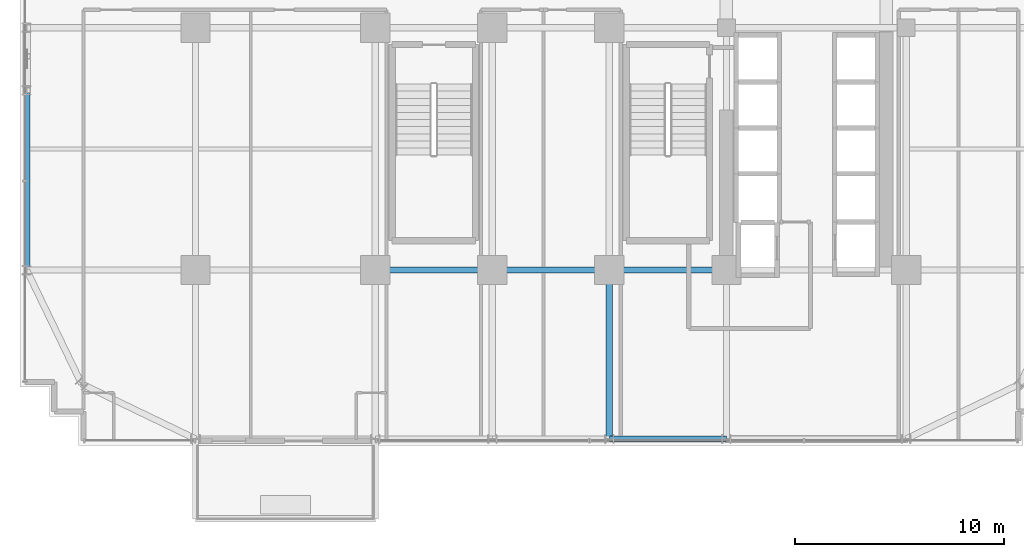
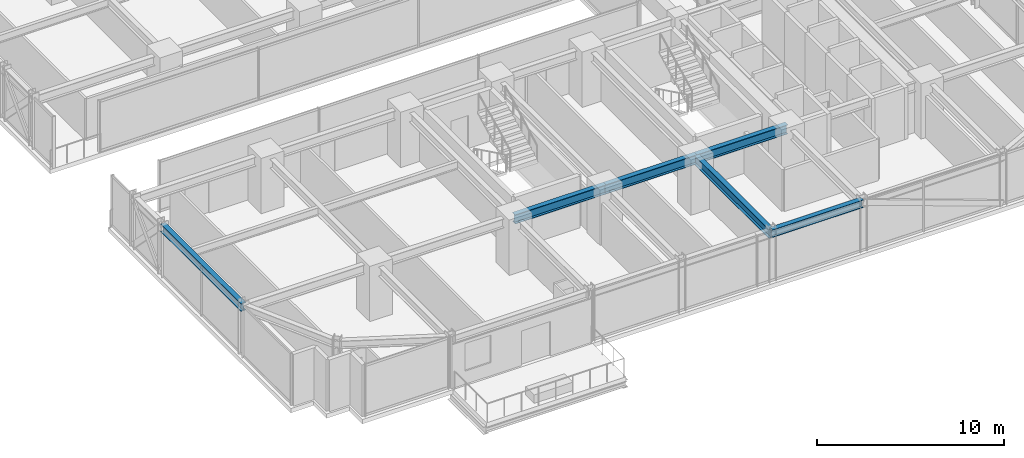
# One storey, part 6 of 43: 6 beams.
"""IFC4 building model written with IfcOpenShell, lengths in metres."""

from ifc_helpers import new_model, si_unit, direction, frame, origin, origin_2d, place, context, subcontext, project, spatial, i_section, extrude, source, transform, mapped, material, material_profile, profile_set, type_object, element, save


model = new_model("IFC4")

# Units and contexts
model_context = context("Model", 3, precision=1e-05, world=origin(), true_north=direction((0.0, 1.0)))
body_context = subcontext(model_context, "Body", "Model", "MODEL_VIEW")
ifc_project = project(units=[si_unit("LENGTHUNIT", "METRE"), si_unit("AREAUNIT", "SQUARE_METRE"), si_unit("VOLUMEUNIT", "CUBIC_METRE"), si_unit("PLANEANGLEUNIT", "RADIAN"), si_unit("MASSUNIT", "GRAM", prefix="KILO")], contexts=[model_context])

# Site, building, storey
site_placement = place(None, origin())
site = spatial("IfcSite", under=ifc_project, at=site_placement, CompositionType="ELEMENT")
building_placement = place(site_placement, origin())
building = spatial("IfcBuilding", under=site, at=building_placement, Name="Nahalor Promenade Grand Hotel", CompositionType="ELEMENT")
storey_placement = place(building_placement, frame((0.0, 0.0, 57.949951171875)))
storey = spatial("IfcBuildingStorey", under=building, at=storey_placement, Name="L13", CompositionType="ELEMENT", Elevation=57.949951171875)

# Beams
ifc_material = material(Name="Steel S355JR", Category="steel")
ifc_material_profile_1 = material_profile(ifc_material, i_section(OverallWidth=0.3, OverallDepth=0.6, WebThickness=0.0155, FlangeThickness=0.03, at=origin_2d()), Name="HEB 600")
ifc_profile_set_1 = profile_set([ifc_material_profile_1], Name="Steel S355JR")
beam_type_1 = type_object("IfcBeamType", Name="Beam-Girder-HEB600", PredefinedType="BEAM", material=ifc_profile_set_1)
shared_shape_1 = source(origin(), body_context, "Body", "SweptSolid", [
    extrude(i_section(OverallWidth=0.3, OverallDepth=0.6, WebThickness=0.0155, FlangeThickness=0.03, at=origin_2d()), origin(), (0.0, 0.0, 1.0), 5.599853515625),
])
for number, where, z_axis, x_axis, name in (
    (1, (-8.39990234375, -17.0, 3.070068359375), (1.0, 0.0, 0.0), (0.0, 1.0, 0.0), "BM-L13-GX-0-2"),
    (2, (2.800048828125, -17.0, 3.070068359375), (1.0, 0.0, 0.0), (0.0, 1.0, 0.0), "BM-L13-GX-0-4"),
):
    element("IfcBeam", number, at=place(storey_placement, frame(where, z_axis=z_axis, x_axis=x_axis)), inside=storey, type_object=beam_type_1, Name=name, PredefinedType="BEAM", context=body_context, shape_type="MappedRepresentation", body=[
        mapped(shared_shape_1, transform((0.0, 0.0, 0.0), scale=1.0)),
    ])
shared_shape_2 = source(origin(), body_context, "Body", "SweptSolid", [
    extrude(i_section(OverallWidth=0.3, OverallDepth=0.6, WebThickness=0.0155, FlangeThickness=0.03, at=origin_2d()), origin(), (0.0, 0.0, 1.0), 5.60009765625),
])
beam_1_placement = place(storey_placement, frame((-2.800048828125, -17.0, 3.070068359375), z_axis=(1.0, 0.0, 0.0), x_axis=(0.0, 1.0, 0.0)))
element("IfcBeam", 3, at=beam_1_placement, inside=storey, type_object=beam_type_1, Name="BM-L13-GX-0-3", PredefinedType="BEAM", context=body_context, shape_type="MappedRepresentation", body=[
    mapped(shared_shape_2, transform((0.0, 0.0, 0.0), scale=1.0)),
])
ifc_material_profile_2 = material_profile(ifc_material, i_section(OverallWidth=0.3, OverallDepth=0.5, WebThickness=0.0145, FlangeThickness=0.028, at=origin_2d()), Name="HEB 500")
ifc_profile_set_2 = profile_set([ifc_material_profile_2], Name="Steel S355JR")
beam_type_2 = type_object("IfcBeamType", Name="Beam-Spandrel-HEB500", PredefinedType="SPANDREL", material=ifc_profile_set_2)
shared_shape_3 = source(origin(), body_context, "Body", "SweptSolid", [
    extrude(i_section(OverallWidth=0.3, OverallDepth=0.5, WebThickness=0.0145, FlangeThickness=0.028, at=origin_2d()), origin(), (0.0, 0.0, 1.0), 8.60009765625),
])
beam_2_placement = place(storey_placement, frame((-25.080078125, -17.0, 3.1201171875), z_axis=(0.0, 1.0, 0.0), x_axis=(-1.0, 0.0, 0.0)))
element("IfcBeam", 4, at=beam_2_placement, inside=storey, type_object=beam_type_2, Name="BM-L13-SP-W-0", PredefinedType="SPANDREL", context=body_context, shape_type="MappedRepresentation", body=[
    mapped(shared_shape_3, transform((0.0, 0.0, 0.0), scale=1.0)),
])
shared_shape_4 = source(origin(), body_context, "Body", "SweptSolid", [
    extrude(i_section(OverallWidth=0.3, OverallDepth=0.5, WebThickness=0.0145, FlangeThickness=0.028, at=origin_2d()), origin(), (0.0, 0.0, 1.0), 5.599853515625),
])
beam_3_placement = place(storey_placement, frame((2.800048828125, -25.080078125, 3.1201171875), z_axis=(1.0, 0.0, 0.0), x_axis=(0.0, 1.0, 0.0)))
element("IfcBeam", 5, at=beam_3_placement, inside=storey, type_object=beam_type_2, Name="BM-L13-SP-S-3", PredefinedType="SPANDREL", context=body_context, shape_type="MappedRepresentation", body=[
    mapped(shared_shape_4, transform((0.0, 0.0, 0.0), scale=1.0)),
])
shared_shape_5 = source(origin(), body_context, "Body", "SweptSolid", [
    extrude(i_section(OverallWidth=0.3, OverallDepth=0.6, WebThickness=0.0155, FlangeThickness=0.03, at=origin_2d()), origin(), (0.0, 0.0, 1.0), 8.080078125),
])
beam_4_placement = place(storey_placement, frame((2.800048828125, -25.080078125, 3.070068359375), z_axis=(0.0, 1.0, 0.0), x_axis=(-1.0, 0.0, 0.0)))
element("IfcBeam", 6, at=beam_4_placement, inside=storey, type_object=beam_type_1, Name="BM-L13-GY-3-0", PredefinedType="BEAM", context=body_context, shape_type="MappedRepresentation", body=[
    mapped(shared_shape_5, transform((0.0, 0.0, 0.0), scale=1.0)),
])

save(model, "model.ifc")
